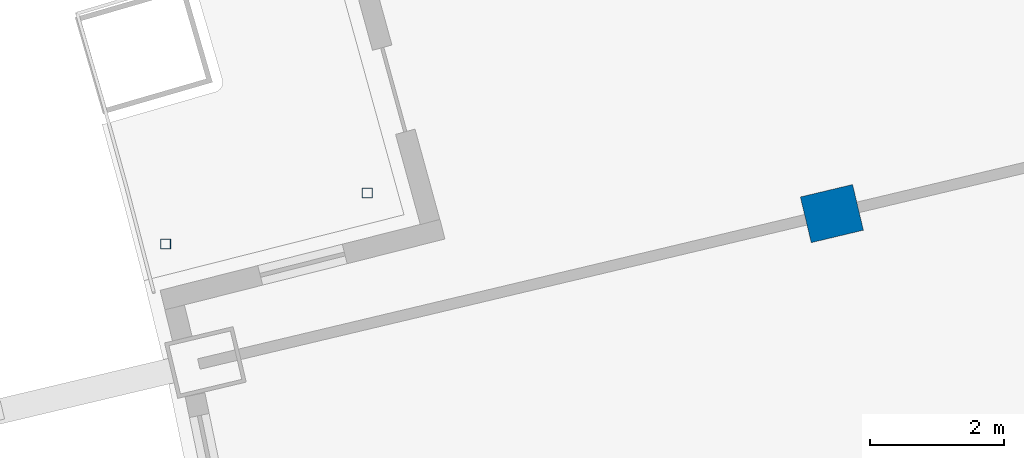
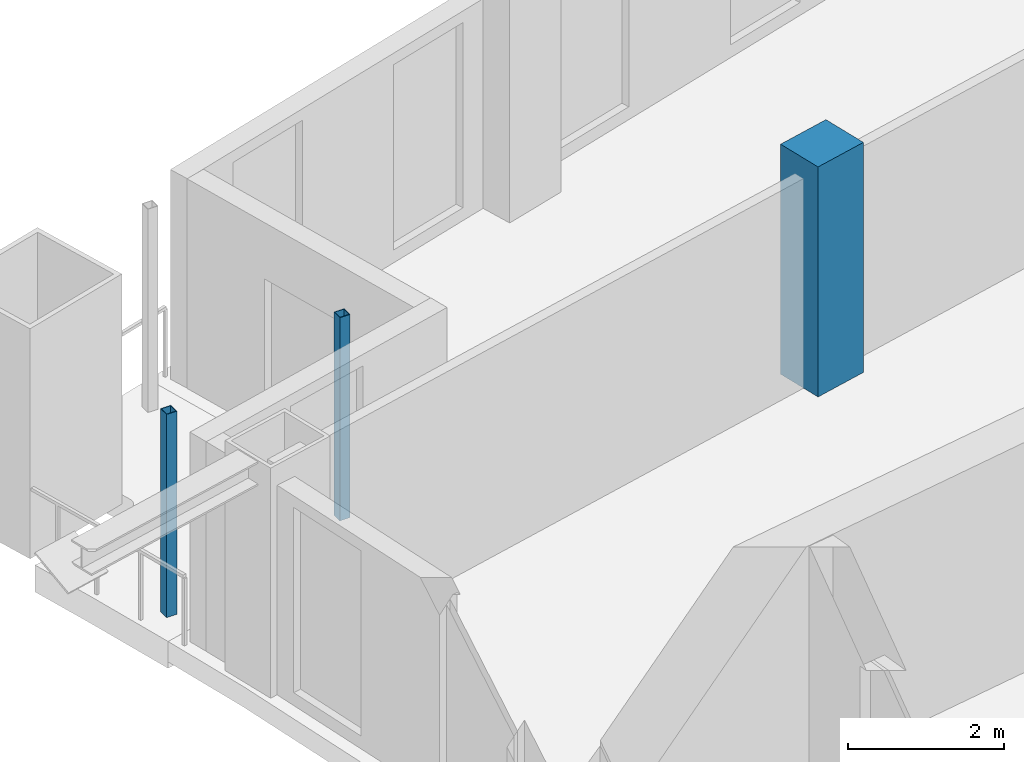
# One storey, part 5 of 19: 3 columns.
"""IFC4 building model written with IfcOpenShell, lengths in metres."""

import ifcopenshell
import ifcopenshell.guid

model = None  # the IFC model being written
_history = None  # IfcOwnerHistory: only IFC2X3 demands one
_inside = {}  # id of a spatial element -> (the spatial element, [elements in it])
_under = {}  # id of a project, library or spatial element -> (it, [spatial elements below it])
_declared = {}  # id of a project -> (the project, [libraries it declares])
_typed = {}  # id of a type object -> (the type object, [elements of that type])
_made_of = {}  # id of a material, layer set ... -> (it, [elements and type objects made of it])


def new_model(schema):
    """Start an empty IFC model of exactly this schema.

    Asked for "IFC4X3", IfcOpenShell would pick the latest addendum, in which some entities
    have other attributes; the version numbers below select the first issue.
    IFC2X3 requires an IfcOwnerHistory on every rooted entity: one is made here for all.
    """
    global model, _history
    if schema == "IFC4X3":
        model = ifcopenshell.file(schema_version=(4, 3, 0, 0))
    else:
        model = ifcopenshell.file(schema=schema)
    _inside.clear()
    _under.clear()
    _declared.clear()
    _typed.clear()
    _made_of.clear()
    _history = None
    if model.schema == "IFC2X3":
        org = make("IfcOrganization", Name="unknown")
        user = make(
            "IfcPersonAndOrganization",
            ThePerson=make("IfcPerson", FamilyName="unknown"),
            TheOrganization=org,
        )
        app = make(
            "IfcApplication",
            ApplicationDeveloper=org,
            Version="unknown",
            ApplicationFullName="unknown",
            ApplicationIdentifier="unknown",
        )
        _history = make(
            "IfcOwnerHistory",
            OwningUser=user,
            OwningApplication=app,
            ChangeAction="ADDED",
            CreationDate=0,
        )
    return model


def make(cls, **values):
    """One entity of the class cls with the attributes given. An attribute that is None is left unset."""
    return model.create_entity(
        cls, **{name: value for name, value in values.items() if value is not None}
    )


def rooted(cls, **values):
    """An entity with a GlobalId (a new one), such as an element, a storey or a relation."""
    return make(cls, GlobalId=ifcopenshell.guid.new(), OwnerHistory=_history, **values)


def si_unit(unit_type, name, prefix=None):
    """IfcSIUnit, for example si_unit("LENGTHUNIT", "METRE", prefix="MILLI")."""
    return make("IfcSIUnit", UnitType=unit_type, Prefix=prefix, Name=name)


def assignment(units):
    """IfcUnitAssignment: the units of a project."""
    return None if units is None else make("IfcUnitAssignment", Units=units)


def point(xyz):
    """IfcCartesianPoint."""
    return None if xyz is None else make("IfcCartesianPoint", Coordinates=xyz)


def direction(xyz):
    """IfcDirection."""
    return None if xyz is None else make("IfcDirection", DirectionRatios=xyz)


def frame(location, z_axis=None, x_axis=None):
    """IfcAxis2Placement3D, a coordinate frame: its origin and axes. An axis left out is left unset."""
    return make(
        "IfcAxis2Placement3D",
        Location=point(location),
        Axis=direction(z_axis),
        RefDirection=direction(x_axis),
    )


def frame_2d(location, x_axis=None):
    """IfcAxis2Placement2D, a coordinate frame in the plane: its origin and x axis."""
    return make(
        "IfcAxis2Placement2D", Location=point(location), RefDirection=direction(x_axis)
    )


def origin():
    """The frame at (0, 0, 0) with its axes left unset."""
    return frame((0.0, 0.0, 0.0))


def origin_2d():
    """The frame at (0, 0) in the plane with its x axis left unset."""
    return frame_2d((0.0, 0.0))


def place(relative_to, where):
    """IfcLocalPlacement: puts the frame where relative to a parent placement (None: the world)."""
    return make(
        "IfcLocalPlacement", PlacementRelTo=relative_to, RelativePlacement=where
    )


def context(
    kind, dimensions, precision=None, world=None, true_north=None, identifier=None
):
    """IfcGeometricRepresentationContext, for example the 3D "Model" context."""
    return make(
        "IfcGeometricRepresentationContext",
        ContextIdentifier=identifier,
        ContextType=kind,
        CoordinateSpaceDimension=dimensions,
        Precision=precision,
        WorldCoordinateSystem=world,
        TrueNorth=true_north,
    )


def subcontext(parent, identifier, kind, view, scale=None):
    """IfcGeometricRepresentationSubContext, for example "Body" below "Model"."""
    return make(
        "IfcGeometricRepresentationSubContext",
        ContextIdentifier=identifier,
        ContextType=kind,
        ParentContext=parent,
        TargetScale=scale,
        TargetView=view,
    )


def project(units=None, contexts=None):
    """IfcProject with its units and contexts."""
    return rooted(
        "IfcProject",
        Name="project",
        RepresentationContexts=contexts,
        UnitsInContext=assignment(units),
    )


def spatial(cls, under=None, at=None, **own):
    """A site, building, storey or space (cls), placed at a placement, below another one or the project."""
    s = rooted(cls, ObjectPlacement=at, **own)
    if under is not None:
        _under.setdefault(under.id(), (under, []))[1].append(s)
    return s


def profile(cls, at=None, kind="AREA", **sizes):
    """A parametric profile (cls). Its sizes go by their IFC names, for example OverallWidth=200.0."""
    return make(cls, ProfileType=kind, Position=at, **sizes)


def rectangle(**sizes):
    """IfcRectangleProfileDef."""
    return profile("IfcRectangleProfileDef", **sizes)


def hollow_rectangle(**sizes):
    """IfcRectangleHollowProfileDef."""
    return profile("IfcRectangleHollowProfileDef", **sizes)


def extrude(swept, where, along, depth):
    """IfcExtrudedAreaSolid: the profile swept, set in the frame where, extruded along a direction by depth."""
    return make(
        "IfcExtrudedAreaSolid",
        SweptArea=swept,
        Position=where,
        ExtrudedDirection=direction(along),
        Depth=depth,
    )


def shape(context_of_items, identifier, shape_type, items):
    """IfcShapeRepresentation: the items that make up one representation, for example the "Body"."""
    return make(
        "IfcShapeRepresentation",
        ContextOfItems=context_of_items,
        RepresentationIdentifier=identifier,
        RepresentationType=shape_type,
        Items=items,
    )


def material(Name=None, Category=None):
    """IfcMaterial."""
    return make("IfcMaterial", Name=Name, Category=Category)


def material_profile(
    of_material, cross_section, Name=None, Category=None, Priority=None
):
    """IfcMaterialProfile: a cross section and its material."""
    return make(
        "IfcMaterialProfile",
        Name=Name,
        Material=of_material,
        Profile=cross_section,
        Priority=Priority,
        Category=Category,
    )


def profile_set(profiles, Name=None, composite=None):
    """IfcMaterialProfileSet."""
    return make(
        "IfcMaterialProfileSet",
        Name=Name,
        MaterialProfiles=profiles,
        CompositeProfile=composite,
    )


def made_of(thing, what):
    """Note that an element or type object is made of a material, layer set ...; save() writes the relation."""
    if what is not None:
        _made_of.setdefault(what.id(), (what, []))[1].append(thing)
    return thing


def type_object(cls, material=None, **own):
    """A type object (cls), such as IfcWallType, which elements share."""
    return made_of(rooted(cls, **own), material)


def element(
    cls,
    number,
    at=None,
    inside=None,
    cuts=None,
    type_object=None,
    material=None,
    context=None,
    identifier="Body",
    shape_type=None,
    held_by="IfcProductDefinitionShape",
    body=None,
    shapes=None,
    **own,
):
    """One element of the class cls, such as IfcWall. Its Tag is "e" and its number.

    at: its placement. inside: the storey or other place that contains it. cuts: it is an
    opening in that element (IfcRelVoidsElement). A single representation is given by context,
    identifier, shape_type and body (its items); several are given by shapes. held_by: the class
    of the entity that holds the representations. save() writes the other relations.
    """
    e = rooted(cls, Tag="e%d" % number, ObjectPlacement=at, **own)
    if body is not None:
        shapes = [shape(context, identifier, shape_type, body)]
    if shapes is not None:
        e.Representation = make(held_by, Representations=shapes)
    if inside is not None:
        _inside.setdefault(inside.id(), (inside, []))[1].append(e)
    if cuts is not None:
        rooted(
            "IfcRelVoidsElement", RelatingBuildingElement=cuts, RelatedOpeningElement=e
        )
    if type_object is not None:
        _typed.setdefault(type_object.id(), (type_object, []))[1].append(e)
    return made_of(e, material)


def aggregate(whole, parts):
    """IfcRelAggregates: a whole, such as a stair, and the parts it consists of."""
    return rooted("IfcRelAggregates", RelatingObject=whole, RelatedObjects=parts)


def save(model, path):
    """Write the relations noted so far, then the file.

    IfcRelAggregates (storeys below a building ...), IfcRelContainedInSpatialStructure (elements
    in a storey), IfcRelDefinesByType, IfcRelAssociatesMaterial and IfcRelDeclares: one each for
    every whole, place, type object, material and project.
    """
    for whole, parts in _under.values():
        aggregate(whole, parts)
    for where, things in _inside.values():
        rooted(
            "IfcRelContainedInSpatialStructure",
            RelatedElements=things,
            RelatingStructure=where,
        )
    for kind, things in _typed.values():
        rooted("IfcRelDefinesByType", RelatedObjects=things, RelatingType=kind)
    for what, things in _made_of.values():
        rooted("IfcRelAssociatesMaterial", RelatedObjects=things, RelatingMaterial=what)
    for by, libraries in _declared.values():
        rooted("IfcRelDeclares", RelatingContext=by, RelatedDefinitions=libraries)
    model.write(path)


model = new_model("IFC4")

# Units and contexts
model_context = context("Model", 3, precision=1e-05, world=origin(), true_north=direction((0.0, 1.0)))
body_context = subcontext(model_context, "Body", "Model", "MODEL_VIEW")
ifc_project = project(units=[si_unit("LENGTHUNIT", "METRE"), si_unit("AREAUNIT", "SQUARE_METRE"), si_unit("VOLUMEUNIT", "CUBIC_METRE"), si_unit("PLANEANGLEUNIT", "RADIAN"), si_unit("MASSUNIT", "GRAM", prefix="KILO")], contexts=[model_context])

# Site, building, storey
site_placement = place(None, origin())
site = spatial("IfcSite", under=ifc_project, at=site_placement, CompositionType="ELEMENT")
building_placement = place(site_placement, origin())
building = spatial("IfcBuilding", under=site, at=building_placement, Name="Alderwake Tower", CompositionType="ELEMENT")
storey_placement = place(building_placement, frame((0.0, 0.0, 196.39990234375)))
storey = spatial("IfcBuildingStorey", under=building, at=storey_placement, Name="L48", CompositionType="ELEMENT", Elevation=196.39990234375)

# Columns
ifc_material_1 = material(Name="Concrete C70/85", Category="concrete")
ifc_material_profile_1 = material_profile(ifc_material_1, rectangle(XDim=0.699951171875, YDim=0.800048828125, at=origin_2d()), Name="RC 800X700")
ifc_profile_set_1 = profile_set([ifc_material_profile_1], Name="Concrete C70/85")
column_type_1 = type_object("IfcColumnType", Name="Interior column Z4", PredefinedType="COLUMN", material=ifc_profile_set_1)
column_placement = place(storey_placement, frame((23.322021484375, 85.555908203125, 0.0), z_axis=(0.0, 0.0, 1.0), x_axis=(-0.231221547198, 0.972901123502, 0.0)))
element("IfcColumn", 1, at=column_placement, inside=storey, type_object=column_type_1, Name="Column R11-C1", PredefinedType="COLUMN", context=body_context, shape_type="SweptSolid", body=[
    extrude(rectangle(XDim=0.699951171875, YDim=0.800048828125, at=origin_2d()), origin(), (0.0, 0.0, 1.0), 3.60009765625),
])
ifc_material_2 = material(Name="Steel ASTM A500 Grade C", Category="steel")
ifc_material_profile_2 = material_profile(ifc_material_2, hollow_rectangle(XDim=0.15234375, YDim=0.15234375, WallThickness=0.0087890625, at=origin_2d()), Name="HSS6X6X3/8")
ifc_profile_set_2 = profile_set([ifc_material_profile_2], Name="Steel ASTM A500 Grade C")
column_type_2 = type_object("IfcColumnType", Name="Light post HSS6X6X3/8", PredefinedType="COLUMN", material=ifc_profile_set_2)
for number, where, z_axis, x_axis, name in (
    (2, (13.3896484375, 85.103515625, 0.0), (0.0, 0.0, 1.0), (1.0, 0.0, 0.0), "Terrace post RN1"),
    (3, (16.39501953125, 85.864013671875, 0.0), (0.0, 0.0, 1.0), (1.0, 0.0, 0.0), "Terrace post RN3"),
):
    element("IfcColumn", number, at=place(storey_placement, frame(where, z_axis=z_axis, x_axis=x_axis)), inside=storey, type_object=column_type_2, Name=name, PredefinedType="COLUMN", context=body_context, shape_type="SweptSolid", body=[
        extrude(hollow_rectangle(XDim=0.15234375, YDim=0.15234375, WallThickness=0.0087890625, at=origin_2d()), origin(), (0.0, 0.0, 1.0), 3.18017578125),
    ])

save(model, "model.ifc")
